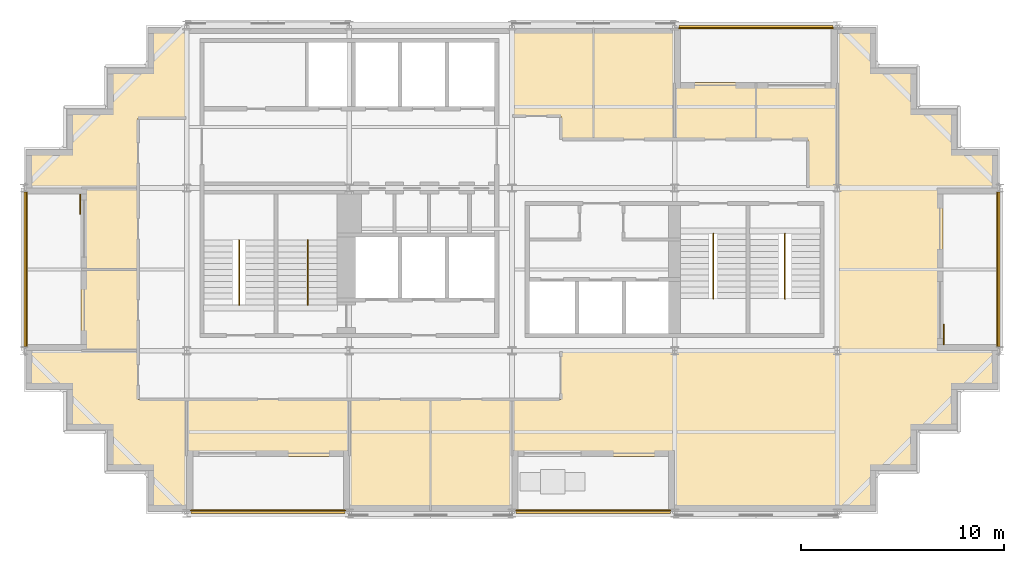
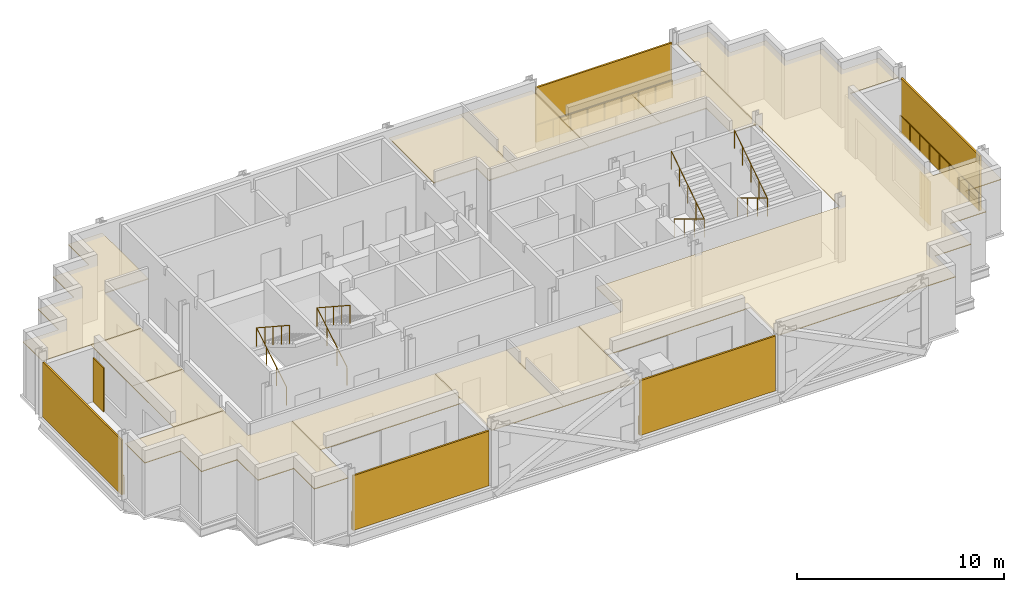
# One storey, part 7 of 8: 12 coverings, 9 railings, 7 shading devices.
"""IFC4 building model written with IfcOpenShell, lengths in metres."""

from ifc_helpers import new_model, si_unit, direction, frame, origin, origin_2d, place, context, subcontext, project, spatial, polyline, rectangle, circle, outline, extrude, material, layer, layer_set, type_object, element, save


model = new_model("IFC4")

# Units and contexts
model_context = context("Model", 3, precision=1e-05, world=origin(), true_north=direction((0.0, 1.0)))
body_context = subcontext(model_context, "Body", "Model", "MODEL_VIEW")
ifc_project = project(units=[si_unit("LENGTHUNIT", "METRE"), si_unit("AREAUNIT", "SQUARE_METRE"), si_unit("VOLUMEUNIT", "CUBIC_METRE"), si_unit("PLANEANGLEUNIT", "RADIAN"), si_unit("MASSUNIT", "GRAM", prefix="KILO")], contexts=[model_context])

# Site, building, storey
site_placement = place(None, origin())
site = spatial("IfcSite", under=ifc_project, at=site_placement, CompositionType="ELEMENT")
building_placement = place(site_placement, origin())
building = spatial("IfcBuilding", under=site, at=building_placement, Name="Immortelle Media Tower", CompositionType="ELEMENT")
storey_placement = place(building_placement, frame((0.0, 0.0, 201.0)))
storey = spatial("IfcBuildingStorey", under=building, at=storey_placement, Name="L42", CompositionType="ELEMENT", Elevation=201.0)

# Railings
ifc_material_1 = material(Name="Powder-coated aluminium fretwork panel, laminated glass backing", Category="aluminium")
railing_type_1 = type_object("IfcRailingType", Name="Fretwork balustrade 1100", PredefinedType="BALUSTRADE", material=ifc_material_1)
railing_1_placement = place(storey_placement, frame((8.200439453125, 0.139892578125, 0.0)))
element("IfcRailing", 1, at=railing_1_placement, inside=storey, type_object=railing_type_1, Name="Fretwork balustrade L42 S0", PredefinedType="BALUSTRADE", context=body_context, shape_type="SweptSolid", body=[
    extrude(circle(Radius=0.02490234375, at=origin_2d()), frame((0.0, 0.0, 1.0751953125), z_axis=(1.0, 0.0, 0.0), x_axis=(0.0, 1.0, 0.0)), (0.0, 0.0, 1.0), 7.593994140625),
    extrude(circle(Radius=0.02001953125, at=origin_2d()), origin(), (0.0, 0.0, 1.0), 1.050048828125),
    extrude(circle(Radius=0.02001953125, at=origin_2d()), frame((0.94921875, 0.0, 0.0)), (0.0, 0.0, 1.0), 1.050048828125),
    extrude(circle(Radius=0.02001953125, at=origin_2d()), frame((1.8984375, 0.0, 0.0)), (0.0, 0.0, 1.0), 1.050048828125),
    extrude(circle(Radius=0.02001953125, at=origin_2d()), frame((2.84765625, 0.0, 0.0)), (0.0, 0.0, 1.0), 1.050048828125),
    extrude(circle(Radius=0.02001953125, at=origin_2d()), frame((3.796875, 0.0, 0.0)), (0.0, 0.0, 1.0), 1.050048828125),
    extrude(circle(Radius=0.02001953125, at=origin_2d()), frame((4.746337890625, 0.0, 0.0)), (0.0, 0.0, 1.0), 1.050048828125),
    extrude(circle(Radius=0.02001953125, at=origin_2d()), frame((5.695556640625, 0.0, 0.0)), (0.0, 0.0, 1.0), 1.050048828125),
    extrude(circle(Radius=0.02001953125, at=origin_2d()), frame((6.644775390625, 0.0, 0.0)), (0.0, 0.0, 1.0), 1.050048828125),
    extrude(circle(Radius=0.02001953125, at=origin_2d()), frame((7.593994140625, 0.0, 0.0)), (0.0, 0.0, 1.0), 1.050048828125),
])
railing_2_placement = place(storey_placement, frame((24.20556640625, 0.139892578125, 0.0)))
element("IfcRailing", 2, at=railing_2_placement, inside=storey, type_object=railing_type_1, Name="Fretwork balustrade L42 S2", PredefinedType="BALUSTRADE", context=body_context, shape_type="SweptSolid", body=[
    extrude(circle(Radius=0.02490234375, at=origin_2d()), frame((0.0, 0.0, 1.0751953125), z_axis=(1.0, 0.0, 0.0), x_axis=(0.0, 1.0, 0.0)), (0.0, 0.0, 1.0), 7.5888671875),
    extrude(circle(Radius=0.02001953125, at=origin_2d()), origin(), (0.0, 0.0, 1.0), 1.050048828125),
    extrude(circle(Radius=0.02001953125, at=origin_2d()), frame((0.94873046875, 0.0, 0.0)), (0.0, 0.0, 1.0), 1.050048828125),
    extrude(circle(Radius=0.02001953125, at=origin_2d()), frame((1.897216796875, 0.0, 0.0)), (0.0, 0.0, 1.0), 1.050048828125),
    extrude(circle(Radius=0.02001953125, at=origin_2d()), frame((2.845703125, 0.0, 0.0)), (0.0, 0.0, 1.0), 1.050048828125),
    extrude(circle(Radius=0.02001953125, at=origin_2d()), frame((3.79443359375, 0.0, 0.0)), (0.0, 0.0, 1.0), 1.050048828125),
    extrude(circle(Radius=0.02001953125, at=origin_2d()), frame((4.7431640625, 0.0, 0.0)), (0.0, 0.0, 1.0), 1.050048828125),
    extrude(circle(Radius=0.02001953125, at=origin_2d()), frame((5.691650390625, 0.0, 0.0)), (0.0, 0.0, 1.0), 1.050048828125),
    extrude(circle(Radius=0.02001953125, at=origin_2d()), frame((6.64013671875, 0.0, 0.0)), (0.0, 0.0, 1.0), 1.050048828125),
    extrude(circle(Radius=0.02001953125, at=origin_2d()), frame((7.5888671875, 0.0, 0.0)), (0.0, 0.0, 1.0), 1.050048828125),
])
railing_3_placement = place(storey_placement, frame((47.860107421875, 8.199462890625, 0.0)))
element("IfcRailing", 3, at=railing_3_placement, inside=storey, type_object=railing_type_1, Name="Fretwork balustrade L42 E0", PredefinedType="BALUSTRADE", context=body_context, shape_type="SweptSolid", body=[
    extrude(circle(Radius=0.02490234375, at=origin_2d()), frame((0.0, 0.0, 1.0751953125), z_axis=(0.0, 1.0, 0.0), x_axis=(-1.0, 0.0, 0.0)), (0.0, 0.0, 1.0), 7.60107421875),
    extrude(circle(Radius=0.02001953125, at=origin_2d()), origin(), (0.0, 0.0, 1.0), 1.050048828125),
    extrude(circle(Radius=0.02001953125, at=origin_2d()), frame((0.0, 0.9501953125, 0.0)), (0.0, 0.0, 1.0), 1.050048828125),
    extrude(circle(Radius=0.02001953125, at=origin_2d()), frame((0.0, 1.900390625, 0.0)), (0.0, 0.0, 1.0), 1.050048828125),
    extrude(circle(Radius=0.02001953125, at=origin_2d()), frame((0.0, 2.850341796875, 0.0)), (0.0, 0.0, 1.0), 1.050048828125),
    extrude(circle(Radius=0.02001953125, at=origin_2d()), frame((0.0, 3.800537109375, 0.0)), (0.0, 0.0, 1.0), 1.050048828125),
    extrude(circle(Radius=0.02001953125, at=origin_2d()), frame((0.0, 4.750732421875, 0.0)), (0.0, 0.0, 1.0), 1.050048828125),
    extrude(circle(Radius=0.02001953125, at=origin_2d()), frame((0.0, 5.70068359375, 0.0)), (0.0, 0.0, 1.0), 1.050048828125),
    extrude(circle(Radius=0.02001953125, at=origin_2d()), frame((0.0, 6.65087890625, 0.0)), (0.0, 0.0, 1.0), 1.050048828125),
    extrude(circle(Radius=0.02001953125, at=origin_2d()), frame((0.0, 7.60107421875, 0.0)), (0.0, 0.0, 1.0), 1.050048828125),
])
railing_4_placement = place(storey_placement, frame((39.799560546875, 23.860107421875, 0.0)))
element("IfcRailing", 4, at=railing_4_placement, inside=storey, type_object=railing_type_1, Name="Fretwork balustrade L42 N0", PredefinedType="BALUSTRADE", context=body_context, shape_type="SweptSolid", body=[
    extrude(circle(Radius=0.02490234375, at=origin_2d()), frame((0.0, 0.0, 1.0751953125), z_axis=(-1.0, 0.0, 0.0), x_axis=(0.0, -1.0, 0.0)), (0.0, 0.0, 1.0), 7.593994140625),
    extrude(circle(Radius=0.02001953125, at=origin_2d()), origin(), (0.0, 0.0, 1.0), 1.050048828125),
    extrude(circle(Radius=0.02001953125, at=origin_2d()), frame((-0.94921875, 0.0, 0.0)), (0.0, 0.0, 1.0), 1.050048828125),
    extrude(circle(Radius=0.02001953125, at=origin_2d()), frame((-1.8984375, 0.0, 0.0)), (0.0, 0.0, 1.0), 1.050048828125),
    extrude(circle(Radius=0.02001953125, at=origin_2d()), frame((-2.84765625, 0.0, 0.0)), (0.0, 0.0, 1.0), 1.050048828125),
    extrude(circle(Radius=0.02001953125, at=origin_2d()), frame((-3.796875, 0.0, 0.0)), (0.0, 0.0, 1.0), 1.050048828125),
    extrude(circle(Radius=0.02001953125, at=origin_2d()), frame((-4.746337890625, 0.0, 0.0)), (0.0, 0.0, 1.0), 1.050048828125),
    extrude(circle(Radius=0.02001953125, at=origin_2d()), frame((-5.695556640625, 0.0, 0.0)), (0.0, 0.0, 1.0), 1.050048828125),
    extrude(circle(Radius=0.02001953125, at=origin_2d()), frame((-6.644775390625, 0.0, 0.0)), (0.0, 0.0, 1.0), 1.050048828125),
    extrude(circle(Radius=0.02001953125, at=origin_2d()), frame((-7.593994140625, 0.0, 0.0)), (0.0, 0.0, 1.0), 1.050048828125),
])
railing_5_placement = place(storey_placement, frame((0.139892578125, 15.800537109375, 0.0)))
element("IfcRailing", 5, at=railing_5_placement, inside=storey, type_object=railing_type_1, Name="Fretwork balustrade L42 W0", PredefinedType="BALUSTRADE", context=body_context, shape_type="SweptSolid", body=[
    extrude(circle(Radius=0.02490234375, at=origin_2d()), frame((0.0, 0.0, 1.0751953125), z_axis=(0.0, -1.0, 0.0), x_axis=(1.0, 0.0, 0.0)), (0.0, 0.0, 1.0), 7.60107421875),
    extrude(circle(Radius=0.02001953125, at=origin_2d()), origin(), (0.0, 0.0, 1.0), 1.050048828125),
    extrude(circle(Radius=0.02001953125, at=origin_2d()), frame((0.0, -0.9501953125, 0.0)), (0.0, 0.0, 1.0), 1.050048828125),
    extrude(circle(Radius=0.02001953125, at=origin_2d()), frame((0.0, -1.900390625, 0.0)), (0.0, 0.0, 1.0), 1.050048828125),
    extrude(circle(Radius=0.02001953125, at=origin_2d()), frame((0.0, -2.850341796875, 0.0)), (0.0, 0.0, 1.0), 1.050048828125),
    extrude(circle(Radius=0.02001953125, at=origin_2d()), frame((0.0, -3.800537109375, 0.0)), (0.0, 0.0, 1.0), 1.050048828125),
    extrude(circle(Radius=0.02001953125, at=origin_2d()), frame((0.0, -4.750732421875, 0.0)), (0.0, 0.0, 1.0), 1.050048828125),
    extrude(circle(Radius=0.02001953125, at=origin_2d()), frame((0.0, -5.70068359375, 0.0)), (0.0, 0.0, 1.0), 1.050048828125),
    extrude(circle(Radius=0.02001953125, at=origin_2d()), frame((0.0, -6.65087890625, 0.0)), (0.0, 0.0, 1.0), 1.050048828125),
    extrude(circle(Radius=0.02001953125, at=origin_2d()), frame((0.0, -7.60107421875, 0.0)), (0.0, 0.0, 1.0), 1.050048828125),
])

# Shading devices
ifc_material_2 = material(Name="Pale aluminium louvre blades", Category="aluminium")
ifc_layer_1 = layer(ifc_material_2, 0.10009765625)
ifc_layer_set_1 = layer_set([ifc_layer_1], Name="Pale aluminium louvre blades")
shading_device_type_1 = type_object("IfcShadingDeviceType", Name="Jalousie screen 100", PredefinedType="JALOUSIE", material=ifc_layer_set_1)
shading_device_1_placement = place(storey_placement, frame((11.99755859375, 0.050048828125, 0.0), z_axis=(0.0, 0.0, 1.0), x_axis=(1.0, 0.0, 0.0)))
element("IfcShadingDevice", 6, at=shading_device_1_placement, inside=storey, type_object=shading_device_type_1, Name="Jalousie screen L42 S0", PredefinedType="JALOUSIE", context=body_context, shape_type="SweptSolid", body=[
    extrude(rectangle(XDim=7.593994140625, YDim=0.10009765625, at=origin_2d()), origin(), (0.0, 0.0, 1.0), 3.238037109375),
])
shading_device_2_placement = place(storey_placement, frame((28.0, 0.050048828125, 0.0), z_axis=(0.0, 0.0, 1.0), x_axis=(1.0, 0.0, 0.0)))
element("IfcShadingDevice", 7, at=shading_device_2_placement, inside=storey, type_object=shading_device_type_1, Name="Jalousie screen L42 S2", PredefinedType="JALOUSIE", context=body_context, shape_type="SweptSolid", body=[
    extrude(rectangle(XDim=7.589111328125, YDim=0.10009765625, at=origin_2d()), origin(), (0.0, 0.0, 1.0), 3.238037109375),
])
shading_device_3_placement = place(storey_placement, frame((47.949951171875, 12.0, 0.0), z_axis=(0.0, 0.0, 1.0), x_axis=(0.0, 1.0, 0.0)))
element("IfcShadingDevice", 8, at=shading_device_3_placement, inside=storey, type_object=shading_device_type_1, Name="Jalousie screen L42 E0", PredefinedType="JALOUSIE", context=body_context, shape_type="SweptSolid", body=[
    extrude(rectangle(XDim=7.60107421875, YDim=0.10009765625, at=origin_2d()), origin(), (0.0, 0.0, 1.0), 3.238037109375),
])
shading_device_4_placement = place(storey_placement, frame((36.00244140625, 23.949951171875, 0.0), z_axis=(0.0, 0.0, 1.0), x_axis=(-1.0, 0.0, 0.0)))
element("IfcShadingDevice", 9, at=shading_device_4_placement, inside=storey, type_object=shading_device_type_1, Name="Jalousie screen L42 N0", PredefinedType="JALOUSIE", context=body_context, shape_type="SweptSolid", body=[
    extrude(rectangle(XDim=7.593994140625, YDim=0.10009765625, at=origin_2d()), origin(), (0.0, 0.0, 1.0), 3.238037109375),
])
shading_device_5_placement = place(storey_placement, frame((0.050048828125, 12.0, 0.0), z_axis=(0.0, 0.0, 1.0), x_axis=(0.0, -1.0, 0.0)))
element("IfcShadingDevice", 10, at=shading_device_5_placement, inside=storey, type_object=shading_device_type_1, Name="Jalousie screen L42 W0", PredefinedType="JALOUSIE", context=body_context, shape_type="SweptSolid", body=[
    extrude(rectangle(XDim=7.60107421875, YDim=0.10009765625, at=origin_2d()), origin(), (0.0, 0.0, 1.0), 3.238037109375),
])
ifc_material_3 = material(Name="Pale aluminium louvre blades in a folding frame", Category="aluminium")
ifc_layer_2 = layer(ifc_material_3, 0.050048828125)
ifc_layer_set_2 = layer_set([ifc_layer_2], Name="Pale aluminium louvre blades in a folding frame")
shading_device_type_2 = type_object("IfcShadingDeviceType", Name="Louvred loggia shutter", PredefinedType="SHUTTER", material=ifc_layer_set_2)
for number, where, z_axis, x_axis, name in (
    (11, (45.22509765625, 8.800048828125, 0.0), (0.0, 0.0, 1.0), (0.0, 1.0, 0.0), "Loggia shutter L42 E0"),
    (12, (2.77490234375, 15.199951171875, 0.0), (0.0, 0.0, 1.0), (0.0, -1.0, 0.0), "Loggia shutter L42 W0"),
):
    element("IfcShadingDevice", number, at=place(storey_placement, frame(where, z_axis=z_axis, x_axis=x_axis)), inside=storey, type_object=shading_device_type_2, Name=name, PredefinedType="SHUTTER", context=body_context, shape_type="SweptSolid", body=[
        extrude(rectangle(XDim=1.0, YDim=0.050048828125, at=origin_2d()), origin(), (0.0, 0.0, 1.0), 2.60009765625),
    ])

# Railings
ifc_material_4 = material(Name="Stainless steel AISI 316", Category="steel")
railing_type_2 = type_object("IfcRailingType", Name="Stair guard 1100", PredefinedType="GUARDRAIL", material=ifc_material_4)
for number, where, name in (
    (13, (10.574951171875, 10.5400390625, 0.173828125), "Stair guard SW1"),
    (14, (13.949951171875, 10.5400390625, 0.173828125), "Stair guard SW2"),
):
    element("IfcRailing", number, at=place(storey_placement, frame(where)), inside=storey, type_object=railing_type_2, Name=name, PredefinedType="GUARDRAIL", context=body_context, shape_type="SweptSolid", body=[
        extrude(circle(Radius=0.02392578125, at=origin_2d()), frame((0.0, 0.0, 1.076171875), z_axis=(0.0, 0.857582100076, 0.514347102285), x_axis=(-1.0, 0.0, 0.0)), (0.0, 0.0, 1.0), 3.381591796875),
        extrude(circle(Radius=0.02392578125, at=origin_2d()), frame((0.0, 2.89990234375, 2.8154296875), z_axis=(0.0, -0.836827423118, 0.547466769693), x_axis=(1.0, 0.0, 0.0)), (0.0, 0.0, 1.0), 3.81201171875),
        extrude(circle(Radius=0.02099609375, at=origin_2d()), origin(), (0.0, 0.0, 1.0), 1.052001953125),
        extrude(circle(Radius=0.02099609375, at=origin_2d()), frame((0.0, 0.966552734375, 0.579833984375)), (0.0, 0.0, 1.0), 1.052001953125),
        extrude(circle(Radius=0.02099609375, at=origin_2d()), frame((0.0, 1.933349609375, 1.159423828125)), (0.0, 0.0, 1.0), 1.052001953125),
        extrude(circle(Radius=0.02099609375, at=origin_2d()), frame((0.0, 2.89990234375, 1.7392578125)), (0.0, 0.0, 1.0), 1.052001953125),
        extrude(circle(Radius=0.02099609375, at=origin_2d()), frame((0.0, 2.1025390625, 2.260986328125)), (0.0, 0.0, 1.0), 1.052001953125),
        extrude(circle(Radius=0.02099609375, at=origin_2d()), frame((0.0, 1.304931640625, 2.78271484375)), (0.0, 0.0, 1.0), 1.052001953125),
        extrude(circle(Radius=0.02099609375, at=origin_2d()), frame((0.0, 0.50732421875, 3.304443359375)), (0.0, 0.0, 1.0), 1.052001953125),
        extrude(circle(Radius=0.02099609375, at=origin_2d()), frame((0.0, -0.2900390625, 3.826171875)), (0.0, 0.0, 1.0), 1.052001953125),
    ])
for number, where, name in (
    (15, (33.89990234375, 13.4599609375, 0.173828125), "Stair guard SE1"),
    (16, (37.425048828125, 13.4599609375, 0.173828125), "Stair guard SE2"),
):
    element("IfcRailing", number, at=place(storey_placement, frame(where)), inside=storey, type_object=railing_type_2, Name=name, PredefinedType="GUARDRAIL", context=body_context, shape_type="SweptSolid", body=[
        extrude(circle(Radius=0.02392578125, at=origin_2d()), frame((0.0, 0.0, 1.076171875), z_axis=(0.0, -0.857582100076, 0.514347102285), x_axis=(1.0, 0.0, 0.0)), (0.0, 0.0, 1.0), 3.381591796875),
        extrude(circle(Radius=0.02392578125, at=origin_2d()), frame((0.0, -2.89990234375, 2.8154296875), z_axis=(0.0, 0.836827423118, 0.547466769693), x_axis=(-1.0, 0.0, 0.0)), (0.0, 0.0, 1.0), 3.81201171875),
        extrude(circle(Radius=0.02099609375, at=origin_2d()), origin(), (0.0, 0.0, 1.0), 1.052001953125),
        extrude(circle(Radius=0.02099609375, at=origin_2d()), frame((0.0, -0.966552734375, 0.579833984375)), (0.0, 0.0, 1.0), 1.052001953125),
        extrude(circle(Radius=0.02099609375, at=origin_2d()), frame((0.0, -1.933349609375, 1.159423828125)), (0.0, 0.0, 1.0), 1.052001953125),
        extrude(circle(Radius=0.02099609375, at=origin_2d()), frame((0.0, -2.89990234375, 1.7392578125)), (0.0, 0.0, 1.0), 1.052001953125),
        extrude(circle(Radius=0.02099609375, at=origin_2d()), frame((0.0, -2.1025390625, 2.260986328125)), (0.0, 0.0, 1.0), 1.052001953125),
        extrude(circle(Radius=0.02099609375, at=origin_2d()), frame((0.0, -1.304931640625, 2.78271484375)), (0.0, 0.0, 1.0), 1.052001953125),
        extrude(circle(Radius=0.02099609375, at=origin_2d()), frame((0.0, -0.50732421875, 3.304443359375)), (0.0, 0.0, 1.0), 1.052001953125),
        extrude(circle(Radius=0.02099609375, at=origin_2d()), frame((0.0, 0.2900390625, 3.826171875)), (0.0, 0.0, 1.0), 1.052001953125),
    ])

# Coverings
ifc_material_5 = material(Name="Mineral fibre tile ceiling")
ifc_layer_3 = layer(ifc_material_5, 0.050048828125)
ifc_layer_set_3 = layer_set([ifc_layer_3], Name="Mineral fibre tile ceiling")
covering_type = type_object("IfcCoveringType", Name="Suspended ceiling 50", PredefinedType="CEILING", material=ifc_layer_set_3)
covering_1_placement = place(storey_placement, frame((0.0, 0.0, 3.10693359375)))
element("IfcCovering", 17, at=covering_1_placement, inside=storey, type_object=covering_type, Name="Ceiling L42-001", PredefinedType="CEILING", context=body_context, shape_type="SweptSolid", body=[
    extrude(outline(polyline([(16.0, 2.800048828125), (16.0, 5.60009765625), (20.0, 5.60009765625), (20.0, 0.10009765625), (16.0, 0.10009765625), (16.0, 2.800048828125)])), origin(), (0.0, 0.0, 1.0), 0.050048828125),
])
covering_2_placement = place(storey_placement, frame((0.0, 0.0, 3.10693359375)))
element("IfcCovering", 18, at=covering_2_placement, inside=storey, type_object=covering_type, Name="Ceiling L42-002", PredefinedType="CEILING", context=body_context, shape_type="SweptSolid", body=[
    extrude(outline(polyline([(24.0, 5.60009765625), (24.0, 2.800048828125), (24.0, 0.10009765625), (20.0, 0.10009765625), (20.0, 5.60009765625), (24.0, 5.60009765625)])), origin(), (0.0, 0.0, 1.0), 0.050048828125),
])
covering_3_placement = place(storey_placement, frame((0.0, 0.0, 3.10693359375)))
element("IfcCovering", 19, at=covering_3_placement, inside=storey, type_object=covering_type, Name="Ceiling L42-003", PredefinedType="CEILING", context=body_context, shape_type="SweptSolid", body=[
    extrude(outline(polyline([(8.0, 2.800048828125), (8.0, 5.60009765625), (16.0, 5.60009765625), (16.0, 2.800048828125), (8.0, 2.800048828125)])), origin(), (0.0, 0.0, 1.0), 0.050048828125),
])
covering_4_placement = place(storey_placement, frame((0.0, 0.0, 3.10693359375)))
element("IfcCovering", 20, at=covering_4_placement, inside=storey, type_object=covering_type, Name="Ceiling L42-004", PredefinedType="CEILING", context=body_context, shape_type="SweptSolid", body=[
    extrude(outline(polyline([(4.10009765625, 2.10009765625), (4.10009765625, 4.10009765625), (4.0, 4.10009765625), (2.10009765625, 4.10009765625), (2.10009765625, 6.10009765625), (0.10009765625, 6.10009765625), (0.10009765625, 8.0), (2.800048828125, 8.0), (4.0, 8.0), (5.60009765625, 8.0), (5.60009765625, 5.60009765625), (8.0, 5.60009765625), (8.0, 2.800048828125), (8.0, 0.10009765625), (6.10009765625, 0.10009765625), (6.10009765625, 2.10009765625), (4.10009765625, 2.10009765625)])), origin(), (0.0, 0.0, 1.0), 0.050048828125),
])
covering_5_placement = place(storey_placement, frame((0.0, 0.0, 3.10693359375)))
element("IfcCovering", 21, at=covering_5_placement, inside=storey, type_object=covering_type, Name="Ceiling L42-005", PredefinedType="CEILING", context=body_context, shape_type="SweptSolid", body=[
    extrude(outline(polyline([(26.39990234375, 5.60009765625), (26.39990234375, 8.0), (32.0, 8.0), (40.0, 8.0), (40.0, 16.0), (40.0, 21.199951171875), (40.0, 23.89990234375), (41.89990234375, 23.89990234375), (41.89990234375, 21.89990234375), (43.89990234375, 21.89990234375), (43.89990234375, 19.89990234375), (45.89990234375, 19.89990234375), (45.89990234375, 17.89990234375), (47.89990234375, 17.89990234375), (47.89990234375, 16.0), (45.199951171875, 16.0), (45.199951171875, 8.0), (47.89990234375, 8.0), (47.89990234375, 6.10009765625), (45.89990234375, 6.10009765625), (45.89990234375, 4.10009765625), (43.89990234375, 4.10009765625), (43.89990234375, 2.10009765625), (41.89990234375, 2.10009765625), (41.89990234375, 0.10009765625), (40.0, 0.10009765625), (32.0, 0.10009765625), (32.0, 2.800048828125), (24.0, 2.800048828125), (24.0, 5.60009765625), (26.39990234375, 5.60009765625)])), origin(), (0.0, 0.0, 1.0), 0.050048828125),
])
covering_6_placement = place(storey_placement, frame((0.0, 0.0, 3.10693359375)))
element("IfcCovering", 22, at=covering_6_placement, inside=storey, type_object=covering_type, Name="Ceiling L42-006", PredefinedType="CEILING", context=body_context, shape_type="SweptSolid", body=[
    extrude(outline(polyline([(2.800048828125, 8.0), (2.800048828125, 12.0), (5.60009765625, 12.0), (5.60009765625, 8.0), (2.800048828125, 8.0)])), origin(), (0.0, 0.0, 1.0), 0.050048828125),
])
covering_7_placement = place(storey_placement, frame((0.0, 0.0, 3.10693359375)))
element("IfcCovering", 23, at=covering_7_placement, inside=storey, type_object=covering_type, Name="Ceiling L42-007", PredefinedType="CEILING", context=body_context, shape_type="SweptSolid", body=[
    extrude(outline(polyline([(2.800048828125, 16.0), (5.60009765625, 16.0), (5.60009765625, 12.0), (2.800048828125, 12.0), (2.800048828125, 16.0)])), origin(), (0.0, 0.0, 1.0), 0.050048828125),
])
covering_8_placement = place(storey_placement, frame((0.0, 0.0, 3.10693359375)))
element("IfcCovering", 24, at=covering_8_placement, inside=storey, type_object=covering_type, Name="Ceiling L42-008", PredefinedType="CEILING", context=body_context, shape_type="SweptSolid", body=[
    extrude(outline(polyline([(5.60009765625, 19.449951171875), (5.60009765625, 16.0), (2.800048828125, 16.0), (0.10009765625, 16.0), (0.10009765625, 17.89990234375), (2.10009765625, 17.89990234375), (2.10009765625, 19.89990234375), (4.10009765625, 19.89990234375), (4.10009765625, 21.89990234375), (6.10009765625, 21.89990234375), (6.10009765625, 23.89990234375), (8.0, 23.89990234375), (8.0, 19.449951171875), (5.60009765625, 19.449951171875)])), origin(), (0.0, 0.0, 1.0), 0.050048828125),
])
covering_9_placement = place(storey_placement, frame((0.0, 0.0, 3.10693359375)))
element("IfcCovering", 25, at=covering_9_placement, inside=storey, type_object=covering_type, Name="Ceiling L42-009", PredefinedType="CEILING", context=body_context, shape_type="SweptSolid", body=[
    extrude(outline(polyline([(32.0, 18.39990234375), (32.0, 21.199951171875), (36.0, 21.199951171875), (36.0, 18.39990234375), (32.0, 18.39990234375)])), origin(), (0.0, 0.0, 1.0), 0.050048828125),
])
covering_10_placement = place(storey_placement, frame((0.0, 0.0, 3.10693359375)))
element("IfcCovering", 26, at=covering_10_placement, inside=storey, type_object=covering_type, Name="Ceiling L42-010", PredefinedType="CEILING", context=body_context, shape_type="SweptSolid", body=[
    extrude(outline(polyline([(38.550048828125, 18.39990234375), (36.0, 18.39990234375), (36.0, 21.199951171875), (40.0, 21.199951171875), (40.0, 16.0), (38.550048828125, 16.0), (38.550048828125, 18.39990234375)])), origin(), (0.0, 0.0, 1.0), 0.050048828125),
])
covering_11_placement = place(storey_placement, frame((0.0, 0.0, 3.10693359375)))
element("IfcCovering", 27, at=covering_11_placement, inside=storey, type_object=covering_type, Name="Ceiling L42-011", PredefinedType="CEILING", context=body_context, shape_type="SweptSolid", body=[
    extrude(outline(polyline([(26.39990234375, 18.39990234375), (26.39990234375, 19.550048828125), (24.0, 19.550048828125), (24.0, 21.199951171875), (24.0, 23.89990234375), (28.0, 23.89990234375), (28.0, 18.39990234375), (27.0, 18.39990234375), (26.39990234375, 18.39990234375)])), origin(), (0.0, 0.0, 1.0), 0.050048828125),
])
covering_12_placement = place(storey_placement, frame((0.0, 0.0, 3.10693359375)))
element("IfcCovering", 28, at=covering_12_placement, inside=storey, type_object=covering_type, Name="Ceiling L42-012", PredefinedType="CEILING", context=body_context, shape_type="SweptSolid", body=[
    extrude(outline(polyline([(32.0, 23.89990234375), (32.0, 21.199951171875), (32.0, 18.39990234375), (28.0, 18.39990234375), (28.0, 23.89990234375), (32.0, 23.89990234375)])), origin(), (0.0, 0.0, 1.0), 0.050048828125),
])

save(model, "model.ifc")
